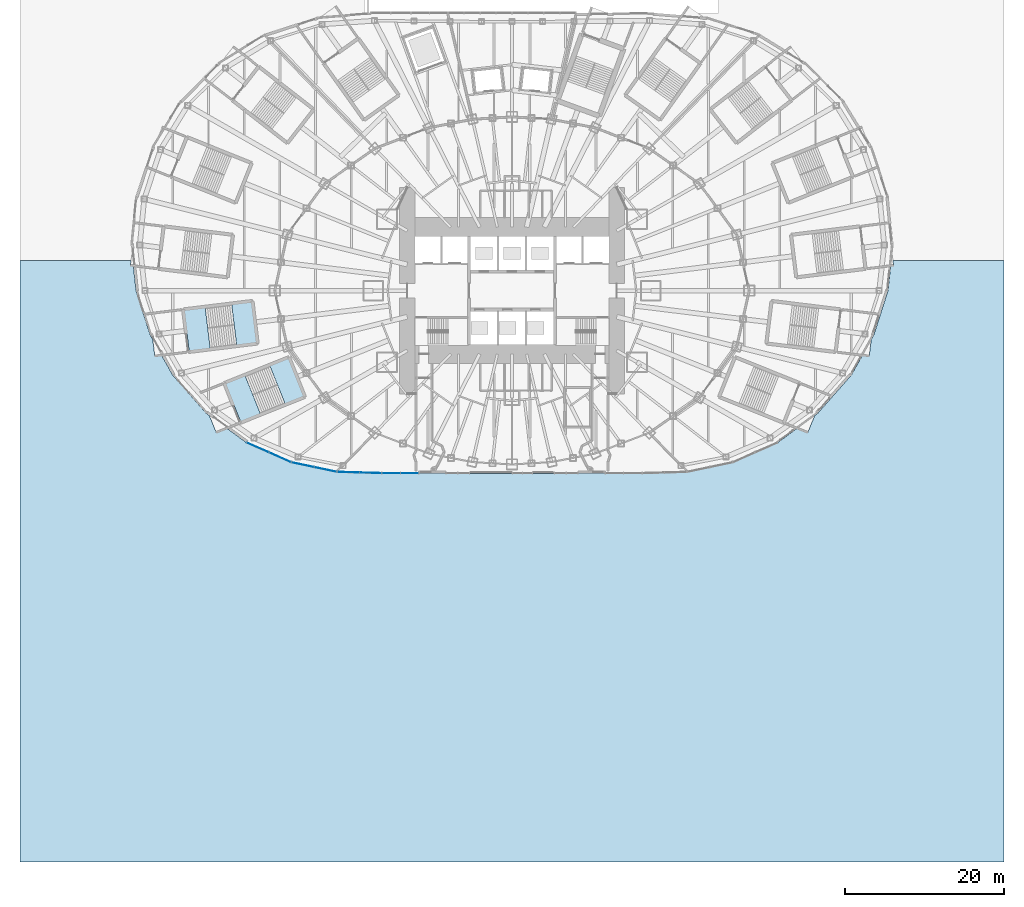
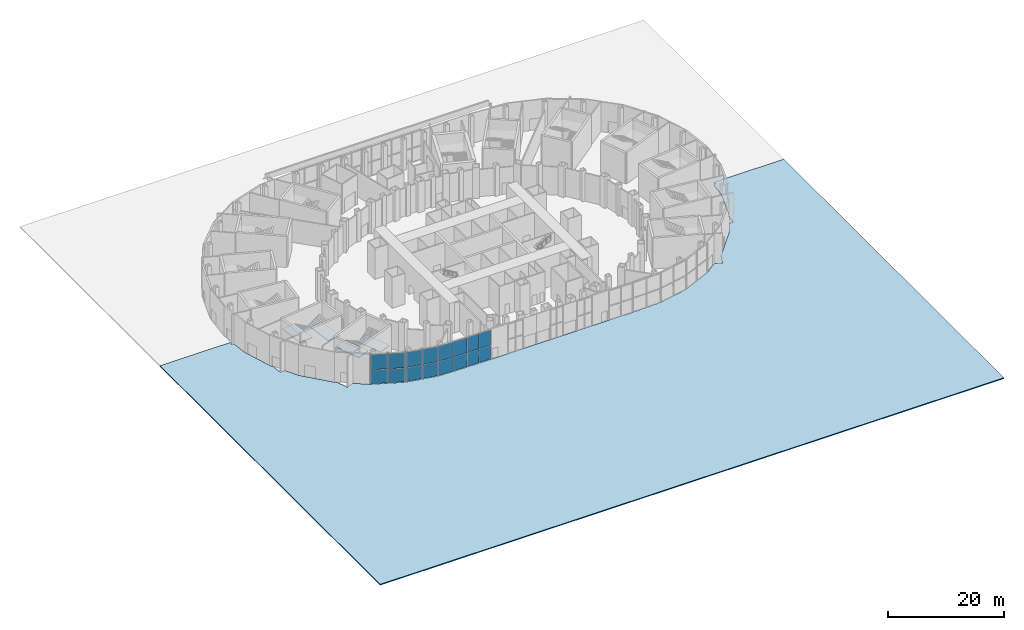
# One storey, part 13 of 47: 16 plates, 5 slabs, 6 elements without a shape of their own.
"""IFC4 building model written with IfcOpenShell, lengths in metres."""

import ifcopenshell
import ifcopenshell.guid

model = None  # the IFC model being written
_history = None  # IfcOwnerHistory: only IFC2X3 demands one
_inside = {}  # id of a spatial element -> (the spatial element, [elements in it])
_under = {}  # id of a project, library or spatial element -> (it, [spatial elements below it])
_declared = {}  # id of a project -> (the project, [libraries it declares])
_typed = {}  # id of a type object -> (the type object, [elements of that type])
_made_of = {}  # id of a material, layer set ... -> (it, [elements and type objects made of it])


def new_model(schema):
    """Start an empty IFC model of exactly this schema.

    Asked for "IFC4X3", IfcOpenShell would pick the latest addendum, in which some entities
    have other attributes; the version numbers below select the first issue.
    IFC2X3 requires an IfcOwnerHistory on every rooted entity: one is made here for all.
    """
    global model, _history
    if schema == "IFC4X3":
        model = ifcopenshell.file(schema_version=(4, 3, 0, 0))
    else:
        model = ifcopenshell.file(schema=schema)
    _inside.clear()
    _under.clear()
    _declared.clear()
    _typed.clear()
    _made_of.clear()
    _history = None
    if model.schema == "IFC2X3":
        org = make("IfcOrganization", Name="unknown")
        user = make(
            "IfcPersonAndOrganization",
            ThePerson=make("IfcPerson", FamilyName="unknown"),
            TheOrganization=org,
        )
        app = make(
            "IfcApplication",
            ApplicationDeveloper=org,
            Version="unknown",
            ApplicationFullName="unknown",
            ApplicationIdentifier="unknown",
        )
        _history = make(
            "IfcOwnerHistory",
            OwningUser=user,
            OwningApplication=app,
            ChangeAction="ADDED",
            CreationDate=0,
        )
    return model


def make(cls, **values):
    """One entity of the class cls with the attributes given. An attribute that is None is left unset."""
    return model.create_entity(
        cls, **{name: value for name, value in values.items() if value is not None}
    )


def rooted(cls, **values):
    """An entity with a GlobalId (a new one), such as an element, a storey or a relation."""
    return make(cls, GlobalId=ifcopenshell.guid.new(), OwnerHistory=_history, **values)


def si_unit(unit_type, name, prefix=None):
    """IfcSIUnit, for example si_unit("LENGTHUNIT", "METRE", prefix="MILLI")."""
    return make("IfcSIUnit", UnitType=unit_type, Prefix=prefix, Name=name)


def assignment(units):
    """IfcUnitAssignment: the units of a project."""
    return None if units is None else make("IfcUnitAssignment", Units=units)


def point(xyz):
    """IfcCartesianPoint."""
    return None if xyz is None else make("IfcCartesianPoint", Coordinates=xyz)


def direction(xyz):
    """IfcDirection."""
    return None if xyz is None else make("IfcDirection", DirectionRatios=xyz)


def frame(location, z_axis=None, x_axis=None):
    """IfcAxis2Placement3D, a coordinate frame: its origin and axes. An axis left out is left unset."""
    return make(
        "IfcAxis2Placement3D",
        Location=point(location),
        Axis=direction(z_axis),
        RefDirection=direction(x_axis),
    )


def frame_2d(location, x_axis=None):
    """IfcAxis2Placement2D, a coordinate frame in the plane: its origin and x axis."""
    return make(
        "IfcAxis2Placement2D", Location=point(location), RefDirection=direction(x_axis)
    )


def origin():
    """The frame at (0, 0, 0) with its axes left unset."""
    return frame((0.0, 0.0, 0.0))


def origin_2d():
    """The frame at (0, 0) in the plane with its x axis left unset."""
    return frame_2d((0.0, 0.0))


def place(relative_to, where):
    """IfcLocalPlacement: puts the frame where relative to a parent placement (None: the world)."""
    return make(
        "IfcLocalPlacement", PlacementRelTo=relative_to, RelativePlacement=where
    )


def context(
    kind, dimensions, precision=None, world=None, true_north=None, identifier=None
):
    """IfcGeometricRepresentationContext, for example the 3D "Model" context."""
    return make(
        "IfcGeometricRepresentationContext",
        ContextIdentifier=identifier,
        ContextType=kind,
        CoordinateSpaceDimension=dimensions,
        Precision=precision,
        WorldCoordinateSystem=world,
        TrueNorth=true_north,
    )


def subcontext(parent, identifier, kind, view, scale=None):
    """IfcGeometricRepresentationSubContext, for example "Body" below "Model"."""
    return make(
        "IfcGeometricRepresentationSubContext",
        ContextIdentifier=identifier,
        ContextType=kind,
        ParentContext=parent,
        TargetScale=scale,
        TargetView=view,
    )


def project(units=None, contexts=None):
    """IfcProject with its units and contexts."""
    return rooted(
        "IfcProject",
        Name="project",
        RepresentationContexts=contexts,
        UnitsInContext=assignment(units),
    )


def spatial(cls, under=None, at=None, **own):
    """A site, building, storey or space (cls), placed at a placement, below another one or the project."""
    s = rooted(cls, ObjectPlacement=at, **own)
    if under is not None:
        _under.setdefault(under.id(), (under, []))[1].append(s)
    return s


def polyline(points):
    """IfcPolyline through the points."""
    return make("IfcPolyline", Points=[point(p) for p in points])


def profile(cls, at=None, kind="AREA", **sizes):
    """A parametric profile (cls). Its sizes go by their IFC names, for example OverallWidth=200.0."""
    return make(cls, ProfileType=kind, Position=at, **sizes)


def rectangle(**sizes):
    """IfcRectangleProfileDef."""
    return profile("IfcRectangleProfileDef", **sizes)


def outline(outer, holes=None, kind="AREA"):
    """IfcArbitraryClosedProfileDef: a profile drawn as a closed curve; with holes, ...WithVoids."""
    if holes is None:
        return make("IfcArbitraryClosedProfileDef", ProfileType=kind, OuterCurve=outer)
    return make(
        "IfcArbitraryProfileDefWithVoids",
        ProfileType=kind,
        OuterCurve=outer,
        InnerCurves=holes,
    )


def extrude(swept, where, along, depth):
    """IfcExtrudedAreaSolid: the profile swept, set in the frame where, extruded along a direction by depth."""
    return make(
        "IfcExtrudedAreaSolid",
        SweptArea=swept,
        Position=where,
        ExtrudedDirection=direction(along),
        Depth=depth,
    )


def shape(context_of_items, identifier, shape_type, items):
    """IfcShapeRepresentation: the items that make up one representation, for example the "Body"."""
    return make(
        "IfcShapeRepresentation",
        ContextOfItems=context_of_items,
        RepresentationIdentifier=identifier,
        RepresentationType=shape_type,
        Items=items,
    )


def material(Name=None, Category=None):
    """IfcMaterial."""
    return make("IfcMaterial", Name=Name, Category=Category)


def layer(
    of_material, thickness, ventilated=None, Name=None, Category=None, Priority=None
):
    """IfcMaterialLayer: one layer of a wall or slab, of a material (None: an air gap)."""
    return make(
        "IfcMaterialLayer",
        Material=of_material,
        LayerThickness=thickness,
        IsVentilated=ventilated,
        Name=Name,
        Category=Category,
        Priority=Priority,
    )


def layer_set(layers, Name=None):
    """IfcMaterialLayerSet."""
    return make("IfcMaterialLayerSet", MaterialLayers=layers, LayerSetName=Name)


def made_of(thing, what):
    """Note that an element or type object is made of a material, layer set ...; save() writes the relation."""
    if what is not None:
        _made_of.setdefault(what.id(), (what, []))[1].append(thing)
    return thing


def type_object(cls, material=None, **own):
    """A type object (cls), such as IfcWallType, which elements share."""
    return made_of(rooted(cls, **own), material)


def element(
    cls,
    number,
    at=None,
    inside=None,
    cuts=None,
    type_object=None,
    material=None,
    context=None,
    identifier="Body",
    shape_type=None,
    held_by="IfcProductDefinitionShape",
    body=None,
    shapes=None,
    **own,
):
    """One element of the class cls, such as IfcWall. Its Tag is "e" and its number.

    at: its placement. inside: the storey or other place that contains it. cuts: it is an
    opening in that element (IfcRelVoidsElement). A single representation is given by context,
    identifier, shape_type and body (its items); several are given by shapes. held_by: the class
    of the entity that holds the representations. save() writes the other relations.
    """
    e = rooted(cls, Tag="e%d" % number, ObjectPlacement=at, **own)
    if body is not None:
        shapes = [shape(context, identifier, shape_type, body)]
    if shapes is not None:
        e.Representation = make(held_by, Representations=shapes)
    if inside is not None:
        _inside.setdefault(inside.id(), (inside, []))[1].append(e)
    if cuts is not None:
        rooted(
            "IfcRelVoidsElement", RelatingBuildingElement=cuts, RelatedOpeningElement=e
        )
    if type_object is not None:
        _typed.setdefault(type_object.id(), (type_object, []))[1].append(e)
    return made_of(e, material)


def aggregate(whole, parts):
    """IfcRelAggregates: a whole, such as a stair, and the parts it consists of."""
    return rooted("IfcRelAggregates", RelatingObject=whole, RelatedObjects=parts)


def save(model, path):
    """Write the relations noted so far, then the file.

    IfcRelAggregates (storeys below a building ...), IfcRelContainedInSpatialStructure (elements
    in a storey), IfcRelDefinesByType, IfcRelAssociatesMaterial and IfcRelDeclares: one each for
    every whole, place, type object, material and project.
    """
    for whole, parts in _under.values():
        aggregate(whole, parts)
    for where, things in _inside.values():
        rooted(
            "IfcRelContainedInSpatialStructure",
            RelatedElements=things,
            RelatingStructure=where,
        )
    for kind, things in _typed.values():
        rooted("IfcRelDefinesByType", RelatedObjects=things, RelatingType=kind)
    for what, things in _made_of.values():
        rooted("IfcRelAssociatesMaterial", RelatedObjects=things, RelatingMaterial=what)
    for by, libraries in _declared.values():
        rooted("IfcRelDeclares", RelatingContext=by, RelatedDefinitions=libraries)
    model.write(path)


model = new_model("IFC4")

# Units and contexts
model_context = context("Model", 3, precision=1e-05, world=origin(), true_north=direction((0.0, 1.0)))
body_context = subcontext(model_context, "Body", "Model", "MODEL_VIEW")
ifc_project = project(units=[si_unit("LENGTHUNIT", "METRE"), si_unit("AREAUNIT", "SQUARE_METRE"), si_unit("VOLUMEUNIT", "CUBIC_METRE"), si_unit("PLANEANGLEUNIT", "RADIAN"), si_unit("MASSUNIT", "GRAM", prefix="KILO")], contexts=[model_context])

# Site, building, storey
site_placement = place(None, origin())
site = spatial("IfcSite", under=ifc_project, at=site_placement, CompositionType="ELEMENT")
building_placement = place(site_placement, origin())
building = spatial("IfcBuilding", under=site, at=building_placement, Name="Lantaw Convention Tower", CompositionType="ELEMENT")
storey_placement = place(building_placement, origin())
storey = spatial("IfcBuildingStorey", under=building, at=storey_placement, Name="L00", CompositionType="ELEMENT", Elevation=0.0)

# Curtain wall, plates
ifc_material_1 = material(Name="Aluminium framed curtain wall", Category="aluminium")
curtain_wall_type = type_object("IfcCurtainWallType", Name="Podium storefront curtain wall, pale aluminium", PredefinedType="USERDEFINED", material=ifc_material_1)
curtain_wall_1_placement = place(storey_placement, origin())
curtain_wall_1 = element("IfcCurtainWall", 1, at=curtain_wall_1_placement, inside=storey, type_object=curtain_wall_type, Name="Podium storefront curtain wall, pale aluminium L00", ObjectType="STOREFRONT", PredefinedType="USERDEFINED")
ifc_material_2 = material(Name="Laminated clear glass", Category="glass")
ifc_layer_1 = layer(ifc_material_2, 0.031982421875)
ifc_layer_set_1 = layer_set([ifc_layer_1], Name="CW-P panel 32")
plate_type = type_object("IfcPlateType", Name="CW-P panel 32", PredefinedType="CURTAIN_PANEL", material=ifc_layer_set_1)
plate_1_placement = place(storey_placement, frame((-32.041015625, -19.761962890625, 0.080078125), z_axis=(0.0, 0.0, 1.0), x_axis=(0.914846203391, -0.403802456829, 0.0)))
plate_1 = element("IfcPlate", 2, at=plate_1_placement, type_object=plate_type, Name="CW-P panel 1.1", PredefinedType="CURTAIN_PANEL", context=body_context, shape_type="SweptSolid", body=[
    extrude(rectangle(XDim=2.975830078125, YDim=0.031982421875, at=origin_2d()), origin(), (0.0, 0.0, 1.0), 2.8798828125),
])
plate_2_placement = place(storey_placement, frame((-32.041015625, -19.761962890625, 3.0400390625), z_axis=(0.0, 0.0, 1.0), x_axis=(0.914846203391, -0.403802456829, 0.0)))
plate_2 = element("IfcPlate", 3, at=plate_2_placement, type_object=plate_type, Name="CW-P panel 1.2", PredefinedType="CURTAIN_PANEL", context=body_context, shape_type="SweptSolid", body=[
    extrude(rectangle(XDim=2.975830078125, YDim=0.031982421875, at=origin_2d()), origin(), (0.0, 0.0, 1.0), 3.179931640625),
])
plate_3_placement = place(storey_placement, frame((-29.24560546875, -20.995849609375, 0.080078125), z_axis=(0.0, 0.0, 1.0), x_axis=(0.914846203391, -0.403802456829, 0.0)))
plate_3 = element("IfcPlate", 4, at=plate_3_placement, type_object=plate_type, Name="CW-P panel 2.1", PredefinedType="CURTAIN_PANEL", context=body_context, shape_type="SweptSolid", body=[
    extrude(rectangle(XDim=2.975830078125, YDim=0.031982421875, at=origin_2d()), origin(), (0.0, 0.0, 1.0), 2.8798828125),
])
plate_4_placement = place(storey_placement, frame((-29.24560546875, -20.995849609375, 3.0400390625), z_axis=(0.0, 0.0, 1.0), x_axis=(0.914846203391, -0.403802456829, 0.0)))
plate_4 = element("IfcPlate", 5, at=plate_4_placement, type_object=plate_type, Name="CW-P panel 2.2", PredefinedType="CURTAIN_PANEL", context=body_context, shape_type="SweptSolid", body=[
    extrude(rectangle(XDim=2.975830078125, YDim=0.031982421875, at=origin_2d()), origin(), (0.0, 0.0, 1.0), 3.179931640625),
])
aggregate(curtain_wall_1, [plate_1, plate_2, plate_3, plate_4])

curtain_wall_2_placement = place(storey_placement, origin())
curtain_wall_2 = element("IfcCurtainWall", 6, at=curtain_wall_2_placement, inside=storey, type_object=curtain_wall_type, Name="Podium storefront curtain wall, pale aluminium L00", ObjectType="STOREFRONT", PredefinedType="USERDEFINED")
plate_5_placement = place(storey_placement, frame((-26.3525390625, -21.935546875, 0.080078125), z_axis=(0.0, 0.0, 1.0), x_axis=(0.978625525259, -0.205650386122, 0.0)))
plate_5 = element("IfcPlate", 7, at=plate_5_placement, type_object=plate_type, Name="CW-P panel 1.1", PredefinedType="CURTAIN_PANEL", context=body_context, shape_type="SweptSolid", body=[
    extrude(rectangle(XDim=2.821044921875, YDim=0.031982421875, at=origin_2d()), origin(), (0.0, 0.0, 1.0), 2.8798828125),
])
plate_6_placement = place(storey_placement, frame((-26.3525390625, -21.935546875, 3.0400390625), z_axis=(0.0, 0.0, 1.0), x_axis=(0.978625525259, -0.205650386122, 0.0)))
plate_6 = element("IfcPlate", 8, at=plate_6_placement, type_object=plate_type, Name="CW-P panel 1.2", PredefinedType="CURTAIN_PANEL", context=body_context, shape_type="SweptSolid", body=[
    extrude(rectangle(XDim=2.821044921875, YDim=0.031982421875, at=origin_2d()), origin(), (0.0, 0.0, 1.0), 3.179931640625),
])
plate_7_placement = place(storey_placement, frame((-23.513671875, -22.5322265625, 0.080078125), z_axis=(0.0, 0.0, 1.0), x_axis=(0.978625525259, -0.205650386122, 0.0)))
plate_7 = element("IfcPlate", 9, at=plate_7_placement, type_object=plate_type, Name="CW-P panel 2.1", PredefinedType="CURTAIN_PANEL", context=body_context, shape_type="SweptSolid", body=[
    extrude(rectangle(XDim=2.821044921875, YDim=0.031982421875, at=origin_2d()), origin(), (0.0, 0.0, 1.0), 2.8798828125),
])
plate_8_placement = place(storey_placement, frame((-23.513671875, -22.5322265625, 3.0400390625), z_axis=(0.0, 0.0, 1.0), x_axis=(0.978625525259, -0.205650386122, 0.0)))
plate_8 = element("IfcPlate", 10, at=plate_8_placement, type_object=plate_type, Name="CW-P panel 2.2", PredefinedType="CURTAIN_PANEL", context=body_context, shape_type="SweptSolid", body=[
    extrude(rectangle(XDim=2.821044921875, YDim=0.031982421875, at=origin_2d()), origin(), (0.0, 0.0, 1.0), 3.179931640625),
])
aggregate(curtain_wall_2, [plate_5, plate_6, plate_7, plate_8])

curtain_wall_3_placement = place(storey_placement, origin())
curtain_wall_3 = element("IfcCurtainWall", 11, at=curtain_wall_3_placement, inside=storey, type_object=curtain_wall_type, Name="Podium storefront curtain wall, pale aluminium L00", ObjectType="STOREFRONT", PredefinedType="USERDEFINED")
plate_9_placement = place(storey_placement, frame((-20.622802734375, -22.879638671875, 0.080078125), z_axis=(0.0, 0.0, 1.0), x_axis=(0.99959230263, -0.028552206976, 0.0)))
plate_9 = element("IfcPlate", 12, at=plate_9_placement, type_object=plate_type, Name="CW-P panel 1.1", PredefinedType="CURTAIN_PANEL", context=body_context, shape_type="SweptSolid", body=[
    extrude(rectangle(XDim=2.705810546875, YDim=0.031982421875, at=origin_2d()), origin(), (0.0, 0.0, 1.0), 2.8798828125),
])
plate_10_placement = place(storey_placement, frame((-20.622802734375, -22.879638671875, 3.0400390625), z_axis=(0.0, 0.0, 1.0), x_axis=(0.99959230263, -0.028552206976, 0.0)))
plate_10 = element("IfcPlate", 13, at=plate_10_placement, type_object=plate_type, Name="CW-P panel 1.2", PredefinedType="CURTAIN_PANEL", context=body_context, shape_type="SweptSolid", body=[
    extrude(rectangle(XDim=2.705810546875, YDim=0.031982421875, at=origin_2d()), origin(), (0.0, 0.0, 1.0), 3.179931640625),
])
plate_11_placement = place(storey_placement, frame((-17.838134765625, -22.958984375, 0.080078125), z_axis=(0.0, 0.0, 1.0), x_axis=(0.99959230263, -0.028552206976, 0.0)))
plate_11 = element("IfcPlate", 14, at=plate_11_placement, type_object=plate_type, Name="CW-P panel 2.1", PredefinedType="CURTAIN_PANEL", context=body_context, shape_type="SweptSolid", body=[
    extrude(rectangle(XDim=2.705810546875, YDim=0.031982421875, at=origin_2d()), origin(), (0.0, 0.0, 1.0), 2.8798828125),
])
plate_12_placement = place(storey_placement, frame((-17.838134765625, -22.958984375, 3.0400390625), z_axis=(0.0, 0.0, 1.0), x_axis=(0.99959230263, -0.028552206976, 0.0)))
plate_12 = element("IfcPlate", 15, at=plate_12_placement, type_object=plate_type, Name="CW-P panel 2.2", PredefinedType="CURTAIN_PANEL", context=body_context, shape_type="SweptSolid", body=[
    extrude(rectangle(XDim=2.705810546875, YDim=0.031982421875, at=origin_2d()), origin(), (0.0, 0.0, 1.0), 3.179931640625),
])
aggregate(curtain_wall_3, [plate_9, plate_10, plate_11, plate_12])

curtain_wall_4_placement = place(storey_placement, origin())
curtain_wall_4 = element("IfcCurtainWall", 16, at=curtain_wall_4_placement, inside=storey, type_object=curtain_wall_type, Name="Podium storefront curtain wall, pale aluminium L00", ObjectType="STOREFRONT", PredefinedType="USERDEFINED")
plate_13_placement = place(storey_placement, frame((-15.214111328125, -23.0, 0.080078125), z_axis=(0.0, 0.0, 1.0), x_axis=(1.0, 0.0, 0.0)))
plate_13 = element("IfcPlate", 17, at=plate_13_placement, type_object=plate_type, Name="CW-P panel 1.1", PredefinedType="CURTAIN_PANEL", context=body_context, shape_type="SweptSolid", body=[
    extrude(rectangle(XDim=2.223388671875, YDim=0.031982421875, at=origin_2d()), origin(), (0.0, 0.0, 1.0), 2.8798828125),
])
plate_14_placement = place(storey_placement, frame((-15.214111328125, -23.0, 3.0400390625), z_axis=(0.0, 0.0, 1.0), x_axis=(1.0, 0.0, 0.0)))
plate_14 = element("IfcPlate", 18, at=plate_14_placement, type_object=plate_type, Name="CW-P panel 1.2", PredefinedType="CURTAIN_PANEL", context=body_context, shape_type="SweptSolid", body=[
    extrude(rectangle(XDim=2.223388671875, YDim=0.031982421875, at=origin_2d()), origin(), (0.0, 0.0, 1.0), 3.179931640625),
])
plate_15_placement = place(storey_placement, frame((-12.91064453125, -23.0, 0.080078125), z_axis=(0.0, 0.0, 1.0), x_axis=(1.0, 0.0, 0.0)))
plate_15 = element("IfcPlate", 19, at=plate_15_placement, type_object=plate_type, Name="CW-P panel 2.1", PredefinedType="CURTAIN_PANEL", context=body_context, shape_type="SweptSolid", body=[
    extrude(rectangle(XDim=2.223388671875, YDim=0.031982421875, at=origin_2d()), origin(), (0.0, 0.0, 1.0), 2.8798828125),
])
plate_16_placement = place(storey_placement, frame((-12.91064453125, -23.0, 3.0400390625), z_axis=(0.0, 0.0, 1.0), x_axis=(1.0, 0.0, 0.0)))
plate_16 = element("IfcPlate", 20, at=plate_16_placement, type_object=plate_type, Name="CW-P panel 2.2", PredefinedType="CURTAIN_PANEL", context=body_context, shape_type="SweptSolid", body=[
    extrude(rectangle(XDim=2.223388671875, YDim=0.031982421875, at=origin_2d()), origin(), (0.0, 0.0, 1.0), 3.179931640625),
])
aggregate(curtain_wall_4, [plate_13, plate_14, plate_15, plate_16])

# Slab
ifc_material_3 = material(Name="Granite setts on a concrete base", Category="masonry")
ifc_layer_2 = layer(ifc_material_3, 0.199951171875)
ifc_layer_set_2 = layer_set([ifc_layer_2], Name="Plaza paving 200")
slab_type_1 = type_object("IfcSlabType", Name="Plaza paving 200", PredefinedType="USERDEFINED", material=ifc_layer_set_2)
slab_1_placement = place(storey_placement, frame((0.0, 0.0, -0.199951171875)))
element("IfcSlab", 21, at=slab_1_placement, inside=storey, type_object=slab_type_1, Name="Plaza paving", ObjectType="PAVING", PredefinedType="USERDEFINED", context=body_context, shape_type="SweptSolid", body=[
    extrude(outline(polyline([(62.0, -72.0), (62.0, 3.79248046875), (48.01611328125, 3.79248046875), (48.091796875, 3.174560546875), (47.715576171875, 3.12841796875), (47.38232421875, -0.001953125), (45.589599609375, -5.6005859375), (45.267822265625, -6.173828125), (45.011962890625, -8.257080078125), (44.156982421875, -8.152099609375), (42.747802734375, -10.662109375), (38.51416015625, -15.4658203125), (38.134765625, -15.74267578125), (37.275146484375, -17.8837890625), (35.93603515625, -17.346435546875), (33.48046875, -19.1376953125), (27.814453125, -21.638671875), (22.05615234375, -22.8486328125), (16.406005859375, -23.010009765625), (-16.406005859375, -23.010009765625), (-22.05615234375, -22.8486328125), (-27.814208984375, -21.638671875), (-33.48046875, -19.1376953125), (-35.93603515625, -17.346435546875), (-37.275146484375, -17.8837890625), (-38.134521484375, -15.74267578125), (-38.51416015625, -15.4658203125), (-42.747802734375, -10.662109375), (-44.156982421875, -8.152099609375), (-45.011962890625, -8.257080078125), (-45.267822265625, -6.173828125), (-45.589599609375, -5.6005859375), (-47.38232421875, -0.001953125), (-47.715576171875, 3.12841796875), (-48.091796875, 3.174560546875), (-48.01611328125, 3.79248046875), (-62.0, 3.79248046875), (-62.0, -72.0), (62.0, -72.0)])), origin(), (0.0, 0.0, 1.0), 0.199951171875),
])

# Stair, slabs
ifc_material_4 = material(Name="Concrete C35/45", Category="concrete")
stair_type = type_object("IfcStairType", Name="Exit stair 2400 riser 166.67 in 3 flights", PredefinedType="HALF_TURN_STAIR", material=ifc_material_4)
stair_1_placement = place(storey_placement, origin())
stair_1 = element("IfcStair", 22, at=stair_1_placement, inside=storey, type_object=stair_type, Name="Podium exit stair P10 L00", PredefinedType="HALF_TURN_STAIR")
ifc_layer_3 = layer(ifc_material_4, 0.199951171875)
ifc_layer_set_3 = layer_set([ifc_layer_3], Name="Stair landing 200")
slab_type_2 = type_object("IfcSlabType", Name="Stair landing 200", PredefinedType="LANDING", material=ifc_layer_set_3)
slab_2_placement = place(storey_placement, frame((0.0, 0.0, 1.966552734375)))
slab_2 = element("IfcSlab", 23, at=slab_2_placement, type_object=slab_type_2, Name="P10 landing 1", PredefinedType="LANDING", context=body_context, shape_type="SweptSolid", body=[
    extrude(outline(polyline([(-32.81298828125, -1.4296875), (-35.326171875, -1.738037109375), (-34.697265625, -6.859619140625), (-32.184326171875, -6.551025390625), (-32.81298828125, -1.4296875)])), origin(), (0.0, 0.0, 1.0), 0.2001953125),
])
slab_3_placement = place(storey_placement, frame((0.0, 0.0, 4.13330078125)))
slab_3 = element("IfcSlab", 24, at=slab_3_placement, type_object=slab_type_2, Name="P10 landing 2", PredefinedType="LANDING", context=body_context, shape_type="SweptSolid", body=[
    extrude(outline(polyline([(-38.6572265625, -2.147216796875), (-41.309326171875, -2.47265625), (-40.680419921875, -7.59423828125), (-38.0283203125, -7.2685546875), (-38.6572265625, -2.147216796875)])), origin(), (0.0, 0.0, 1.0), 0.199951171875),
])
aggregate(stair_1, [slab_2, slab_3])

stair_2_placement = place(storey_placement, origin())
stair_2 = element("IfcStair", 25, at=stair_2_placement, inside=storey, type_object=stair_type, Name="Podium exit stair P11 L00", PredefinedType="HALF_TURN_STAIR")
slab_4_placement = place(storey_placement, frame((0.0, 0.0, 1.966552734375)))
slab_4 = element("IfcSlab", 26, at=slab_4_placement, type_object=slab_type_2, Name="P11 landing 1", PredefinedType="LANDING", context=body_context, shape_type="SweptSolid", body=[
    extrude(outline(polyline([(-28.165283203125, -8.526611328125), (-30.51513671875, -9.4697265625), (-28.5927734375, -14.25830078125), (-26.242919921875, -13.315185546875), (-28.165283203125, -8.526611328125)])), origin(), (0.0, 0.0, 1.0), 0.2001953125),
])
slab_5_placement = place(storey_placement, frame((0.0, 0.0, 4.13330078125)))
slab_5 = element("IfcSlab", 27, at=slab_5_placement, type_object=slab_type_2, Name="P11 landing 2", PredefinedType="LANDING", context=body_context, shape_type="SweptSolid", body=[
    extrude(outline(polyline([(-33.62939453125, -10.719970703125), (-36.109130859375, -11.715576171875), (-34.186767578125, -16.504150390625), (-31.70703125, -15.508544921875), (-33.62939453125, -10.719970703125)])), origin(), (0.0, 0.0, 1.0), 0.199951171875),
])
aggregate(stair_2, [slab_4, slab_5])

save(model, "model.ifc")
